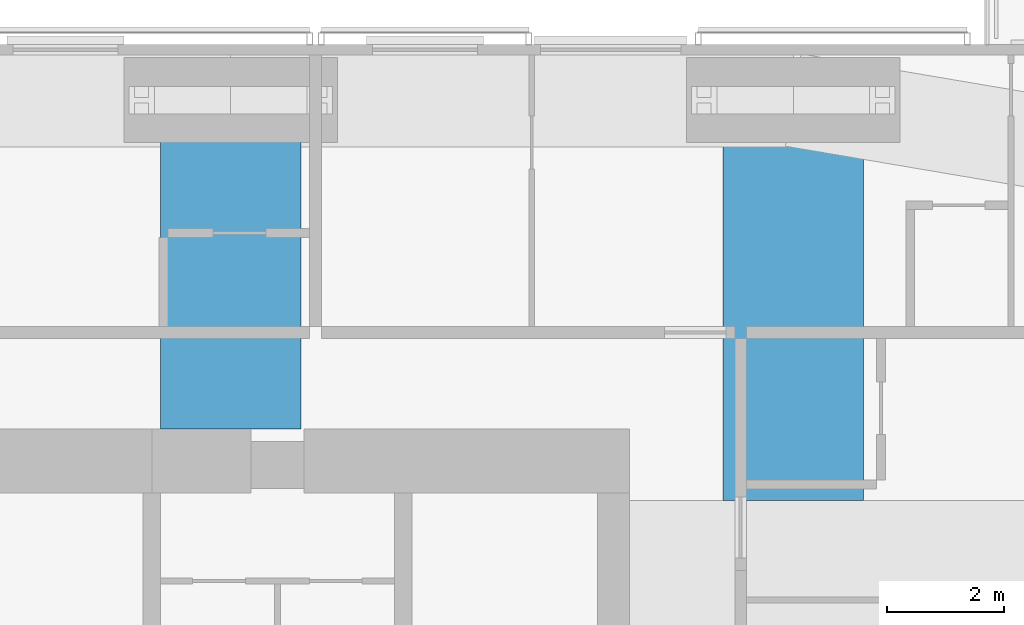
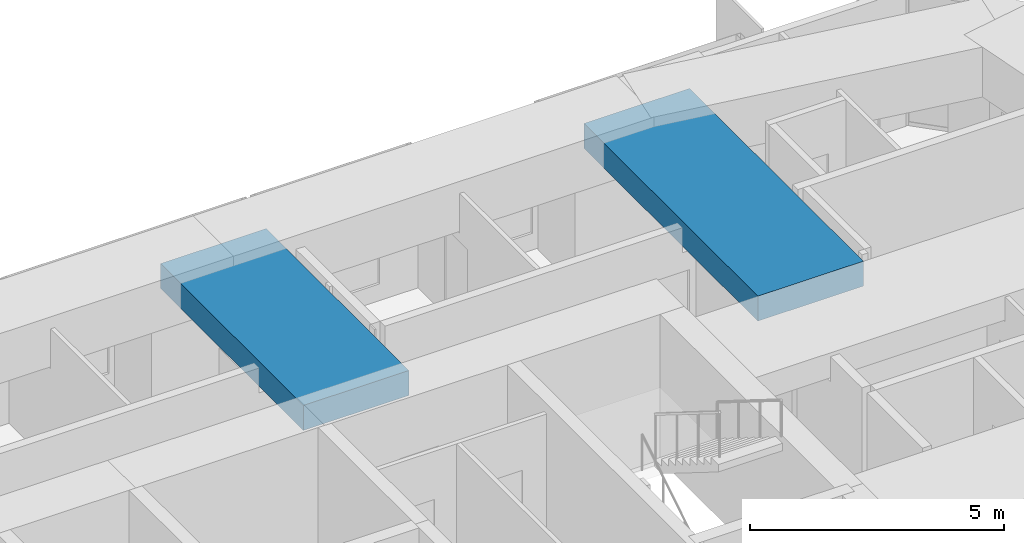
# One storey, part 7 of 19: 2 beams.
"""IFC4 building model written with IfcOpenShell, lengths in metres."""

import ifcopenshell
import ifcopenshell.guid

model = None  # the IFC model being written
_history = None  # IfcOwnerHistory: only IFC2X3 demands one
_inside = {}  # id of a spatial element -> (the spatial element, [elements in it])
_under = {}  # id of a project, library or spatial element -> (it, [spatial elements below it])
_declared = {}  # id of a project -> (the project, [libraries it declares])
_typed = {}  # id of a type object -> (the type object, [elements of that type])
_made_of = {}  # id of a material, layer set ... -> (it, [elements and type objects made of it])


def new_model(schema):
    """Start an empty IFC model of exactly this schema.

    Asked for "IFC4X3", IfcOpenShell would pick the latest addendum, in which some entities
    have other attributes; the version numbers below select the first issue.
    IFC2X3 requires an IfcOwnerHistory on every rooted entity: one is made here for all.
    """
    global model, _history
    if schema == "IFC4X3":
        model = ifcopenshell.file(schema_version=(4, 3, 0, 0))
    else:
        model = ifcopenshell.file(schema=schema)
    _inside.clear()
    _under.clear()
    _declared.clear()
    _typed.clear()
    _made_of.clear()
    _history = None
    if model.schema == "IFC2X3":
        org = make("IfcOrganization", Name="unknown")
        user = make(
            "IfcPersonAndOrganization",
            ThePerson=make("IfcPerson", FamilyName="unknown"),
            TheOrganization=org,
        )
        app = make(
            "IfcApplication",
            ApplicationDeveloper=org,
            Version="unknown",
            ApplicationFullName="unknown",
            ApplicationIdentifier="unknown",
        )
        _history = make(
            "IfcOwnerHistory",
            OwningUser=user,
            OwningApplication=app,
            ChangeAction="ADDED",
            CreationDate=0,
        )
    return model


def make(cls, **values):
    """One entity of the class cls with the attributes given. An attribute that is None is left unset."""
    return model.create_entity(
        cls, **{name: value for name, value in values.items() if value is not None}
    )


def rooted(cls, **values):
    """An entity with a GlobalId (a new one), such as an element, a storey or a relation."""
    return make(cls, GlobalId=ifcopenshell.guid.new(), OwnerHistory=_history, **values)


def si_unit(unit_type, name, prefix=None):
    """IfcSIUnit, for example si_unit("LENGTHUNIT", "METRE", prefix="MILLI")."""
    return make("IfcSIUnit", UnitType=unit_type, Prefix=prefix, Name=name)


def assignment(units):
    """IfcUnitAssignment: the units of a project."""
    return None if units is None else make("IfcUnitAssignment", Units=units)


def point(xyz):
    """IfcCartesianPoint."""
    return None if xyz is None else make("IfcCartesianPoint", Coordinates=xyz)


def direction(xyz):
    """IfcDirection."""
    return None if xyz is None else make("IfcDirection", DirectionRatios=xyz)


def frame(location, z_axis=None, x_axis=None):
    """IfcAxis2Placement3D, a coordinate frame: its origin and axes. An axis left out is left unset."""
    return make(
        "IfcAxis2Placement3D",
        Location=point(location),
        Axis=direction(z_axis),
        RefDirection=direction(x_axis),
    )


def frame_2d(location, x_axis=None):
    """IfcAxis2Placement2D, a coordinate frame in the plane: its origin and x axis."""
    return make(
        "IfcAxis2Placement2D", Location=point(location), RefDirection=direction(x_axis)
    )


def origin():
    """The frame at (0, 0, 0) with its axes left unset."""
    return frame((0.0, 0.0, 0.0))


def origin_2d():
    """The frame at (0, 0) in the plane with its x axis left unset."""
    return frame_2d((0.0, 0.0))


def place(relative_to, where):
    """IfcLocalPlacement: puts the frame where relative to a parent placement (None: the world)."""
    return make(
        "IfcLocalPlacement", PlacementRelTo=relative_to, RelativePlacement=where
    )


def context(
    kind, dimensions, precision=None, world=None, true_north=None, identifier=None
):
    """IfcGeometricRepresentationContext, for example the 3D "Model" context."""
    return make(
        "IfcGeometricRepresentationContext",
        ContextIdentifier=identifier,
        ContextType=kind,
        CoordinateSpaceDimension=dimensions,
        Precision=precision,
        WorldCoordinateSystem=world,
        TrueNorth=true_north,
    )


def subcontext(parent, identifier, kind, view, scale=None):
    """IfcGeometricRepresentationSubContext, for example "Body" below "Model"."""
    return make(
        "IfcGeometricRepresentationSubContext",
        ContextIdentifier=identifier,
        ContextType=kind,
        ParentContext=parent,
        TargetScale=scale,
        TargetView=view,
    )


def project(units=None, contexts=None):
    """IfcProject with its units and contexts."""
    return rooted(
        "IfcProject",
        Name="project",
        RepresentationContexts=contexts,
        UnitsInContext=assignment(units),
    )


def spatial(cls, under=None, at=None, **own):
    """A site, building, storey or space (cls), placed at a placement, below another one or the project."""
    s = rooted(cls, ObjectPlacement=at, **own)
    if under is not None:
        _under.setdefault(under.id(), (under, []))[1].append(s)
    return s


def profile(cls, at=None, kind="AREA", **sizes):
    """A parametric profile (cls). Its sizes go by their IFC names, for example OverallWidth=200.0."""
    return make(cls, ProfileType=kind, Position=at, **sizes)


def rectangle(**sizes):
    """IfcRectangleProfileDef."""
    return profile("IfcRectangleProfileDef", **sizes)


def extrude(swept, where, along, depth):
    """IfcExtrudedAreaSolid: the profile swept, set in the frame where, extruded along a direction by depth."""
    return make(
        "IfcExtrudedAreaSolid",
        SweptArea=swept,
        Position=where,
        ExtrudedDirection=direction(along),
        Depth=depth,
    )


def shape(context_of_items, identifier, shape_type, items):
    """IfcShapeRepresentation: the items that make up one representation, for example the "Body"."""
    return make(
        "IfcShapeRepresentation",
        ContextOfItems=context_of_items,
        RepresentationIdentifier=identifier,
        RepresentationType=shape_type,
        Items=items,
    )


def material(Name=None, Category=None):
    """IfcMaterial."""
    return make("IfcMaterial", Name=Name, Category=Category)


def material_profile(
    of_material, cross_section, Name=None, Category=None, Priority=None
):
    """IfcMaterialProfile: a cross section and its material."""
    return make(
        "IfcMaterialProfile",
        Name=Name,
        Material=of_material,
        Profile=cross_section,
        Priority=Priority,
        Category=Category,
    )


def profile_set(profiles, Name=None, composite=None):
    """IfcMaterialProfileSet."""
    return make(
        "IfcMaterialProfileSet",
        Name=Name,
        MaterialProfiles=profiles,
        CompositeProfile=composite,
    )


def made_of(thing, what):
    """Note that an element or type object is made of a material, layer set ...; save() writes the relation."""
    if what is not None:
        _made_of.setdefault(what.id(), (what, []))[1].append(thing)
    return thing


def type_object(cls, material=None, **own):
    """A type object (cls), such as IfcWallType, which elements share."""
    return made_of(rooted(cls, **own), material)


def element(
    cls,
    number,
    at=None,
    inside=None,
    cuts=None,
    type_object=None,
    material=None,
    context=None,
    identifier="Body",
    shape_type=None,
    held_by="IfcProductDefinitionShape",
    body=None,
    shapes=None,
    **own,
):
    """One element of the class cls, such as IfcWall. Its Tag is "e" and its number.

    at: its placement. inside: the storey or other place that contains it. cuts: it is an
    opening in that element (IfcRelVoidsElement). A single representation is given by context,
    identifier, shape_type and body (its items); several are given by shapes. held_by: the class
    of the entity that holds the representations. save() writes the other relations.
    """
    e = rooted(cls, Tag="e%d" % number, ObjectPlacement=at, **own)
    if body is not None:
        shapes = [shape(context, identifier, shape_type, body)]
    if shapes is not None:
        e.Representation = make(held_by, Representations=shapes)
    if inside is not None:
        _inside.setdefault(inside.id(), (inside, []))[1].append(e)
    if cuts is not None:
        rooted(
            "IfcRelVoidsElement", RelatingBuildingElement=cuts, RelatedOpeningElement=e
        )
    if type_object is not None:
        _typed.setdefault(type_object.id(), (type_object, []))[1].append(e)
    return made_of(e, material)


def aggregate(whole, parts):
    """IfcRelAggregates: a whole, such as a stair, and the parts it consists of."""
    return rooted("IfcRelAggregates", RelatingObject=whole, RelatedObjects=parts)


def save(model, path):
    """Write the relations noted so far, then the file.

    IfcRelAggregates (storeys below a building ...), IfcRelContainedInSpatialStructure (elements
    in a storey), IfcRelDefinesByType, IfcRelAssociatesMaterial and IfcRelDeclares: one each for
    every whole, place, type object, material and project.
    """
    for whole, parts in _under.values():
        aggregate(whole, parts)
    for where, things in _inside.values():
        rooted(
            "IfcRelContainedInSpatialStructure",
            RelatedElements=things,
            RelatingStructure=where,
        )
    for kind, things in _typed.values():
        rooted("IfcRelDefinesByType", RelatedObjects=things, RelatingType=kind)
    for what, things in _made_of.values():
        rooted("IfcRelAssociatesMaterial", RelatedObjects=things, RelatingMaterial=what)
    for by, libraries in _declared.values():
        rooted("IfcRelDeclares", RelatingContext=by, RelatedDefinitions=libraries)
    model.write(path)


model = new_model("IFC4")

# Units and contexts
model_context = context("Model", 3, precision=1e-05, world=origin(), true_north=direction((0.0, 1.0)))
body_context = subcontext(model_context, "Body", "Model", "MODEL_VIEW")
ifc_project = project(units=[si_unit("LENGTHUNIT", "METRE"), si_unit("AREAUNIT", "SQUARE_METRE"), si_unit("VOLUMEUNIT", "CUBIC_METRE"), si_unit("PLANEANGLEUNIT", "RADIAN"), si_unit("MASSUNIT", "GRAM", prefix="KILO")], contexts=[model_context])

# Site, building, storey
site_placement = place(None, origin())
site = spatial("IfcSite", under=ifc_project, at=site_placement, CompositionType="ELEMENT")
building_placement = place(site_placement, origin())
building = spatial("IfcBuilding", under=site, at=building_placement, Name="Jalousie Tower", CompositionType="ELEMENT")
storey_placement = place(building_placement, frame((0.0, 0.0, 224.949951171875)))
storey = spatial("IfcBuildingStorey", under=building, at=storey_placement, Name="L61", CompositionType="ELEMENT", Elevation=224.949951171875)

# Beams
ifc_material = material(Name="Concrete f'c 40 MPa", Category="concrete")
ifc_material_profile = material_profile(ifc_material, rectangle(XDim=2.39990234375, YDim=0.60009765625, at=origin_2d()), Name="RC 2400x600")
ifc_profile_set = profile_set([ifc_material_profile], Name="Concrete f'c 40 MPa")
beam_type = type_object("IfcBeamType", Name="RC BEAM 2400x600", PredefinedType="BEAM", material=ifc_profile_set)
beam_1_placement = place(storey_placement, frame((37.25, 33.050048828125, 2.9599609375), z_axis=(0.0, -1.0, 0.0), x_axis=(1.0, 0.0, 0.0)))
element("IfcBeam", 1, at=beam_1_placement, inside=storey, type_object=beam_type, Name="Floor band beam under L62", PredefinedType="BEAM", context=body_context, shape_type="SweptSolid", body=[
    extrude(rectangle(XDim=2.39990234375, YDim=0.60009765625, at=origin_2d()), origin(), (0.0, 0.0, 1.0), 5.625),
])
beam_2_placement = place(storey_placement, frame((46.875, 33.050048828125, 2.9599609375), z_axis=(0.0, -1.0, 0.0), x_axis=(1.0, 0.0, 0.0)))
element("IfcBeam", 2, at=beam_2_placement, inside=storey, type_object=beam_type, Name="Floor band beam under L62", PredefinedType="BEAM", context=body_context, shape_type="SweptSolid", body=[
    extrude(rectangle(XDim=2.39990234375, YDim=0.60009765625, at=origin_2d()), origin(), (0.0, 0.0, 1.0), 6.85009765625),
])

save(model, "model.ifc")
